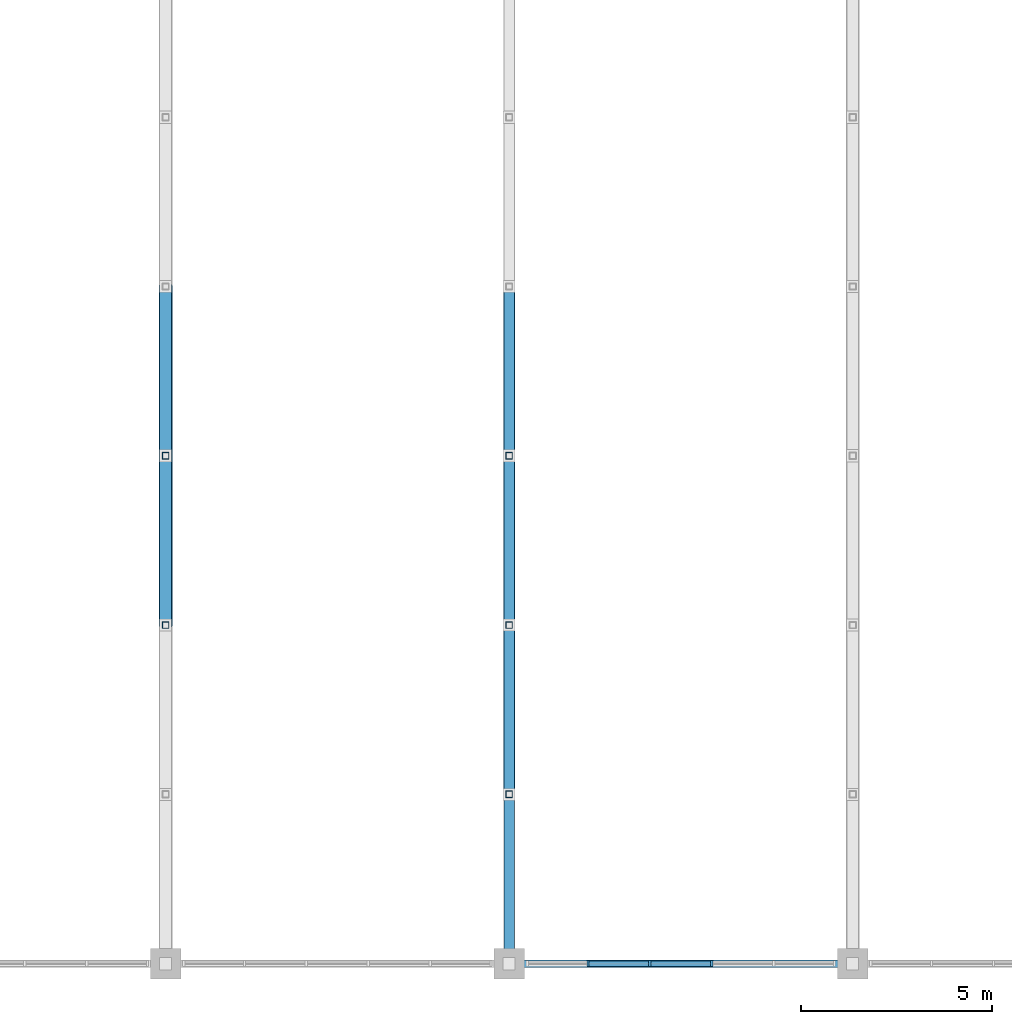
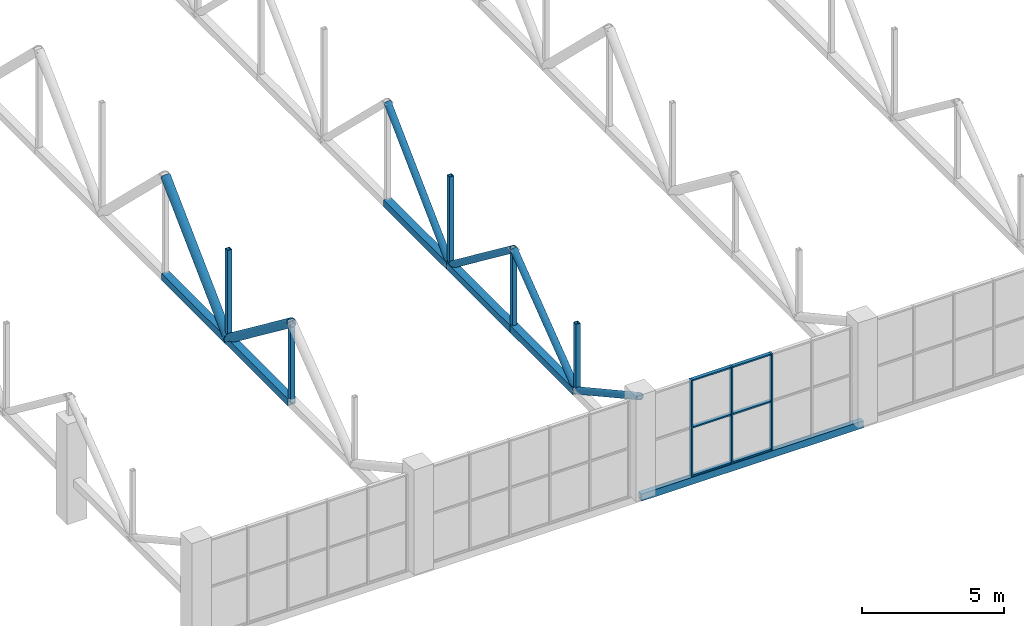
# One storey, part 16 of 103: 25 members, 1 beam, 1 element without a shape of its own.
"""IFC4 building model written with IfcOpenShell, lengths in metres."""

from ifc_helpers import new_model, si_unit, direction, frame, origin, origin_2d, place, context, subcontext, project, spatial, rectangle, hollow_rectangle, hollow_circle, extrude, material, layer, layer_set, material_profile, profile_set, type_object, element, aggregate, save


model = new_model("IFC4")

# Units and contexts
model_context = context("Model", 3, precision=1e-05, world=origin(), true_north=direction((0.0, 1.0)))
body_context = subcontext(model_context, "Body", "Model", "MODEL_VIEW")
ifc_project = project(units=[si_unit("LENGTHUNIT", "METRE"), si_unit("AREAUNIT", "SQUARE_METRE"), si_unit("VOLUMEUNIT", "CUBIC_METRE"), si_unit("PLANEANGLEUNIT", "RADIAN"), si_unit("MASSUNIT", "GRAM", prefix="KILO")], contexts=[model_context])

# Site, building, storey
site_placement = place(None, origin())
site = spatial("IfcSite", under=ifc_project, at=site_placement, CompositionType="ELEMENT")
building_placement = place(site_placement, origin())
building = spatial("IfcBuilding", under=site, at=building_placement, Name="Cazmaro Siding Exhibition Halls", CompositionType="ELEMENT")
storey_placement = place(building_placement, frame((0.0, 0.0, 16.5)))
storey = spatial("IfcBuildingStorey", under=building, at=storey_placement, Name="L03", CompositionType="ELEMENT", Elevation=16.5)

# Curtain wall, members
ifc_material_1 = material(Name="Anodized Bronze Aluminum and Solar-Control Low-E Glazing", Category="aluminium")
ifc_layer = layer(ifc_material_1, 0.159912109375)
ifc_layer_set = layer_set([ifc_layer], Name="Anodized Bronze Aluminum and Solar-Control Low-E Glazing")
curtain_wall_type = type_object("IfcCurtainWallType", Name="CWS-04", PredefinedType="USERDEFINED", material=ifc_layer_set)
curtain_wall_placement = place(storey_placement, origin())
curtain_wall = element("IfcCurtainWall", 1, at=curtain_wall_placement, inside=storey, type_object=curtain_wall_type, Name="Clerestory Curtain Wall CWS-04 CW-084", ObjectType="CLERESTORY CURTAIN WALL", PredefinedType="USERDEFINED")
ifc_material_2 = material(Name="Anodized Bronze Extruded Aluminum", Category="aluminium")
ifc_material_profile_1 = material_profile(ifc_material_2, rectangle(XDim=0.159912109375, YDim=0.06005859375, at=origin_2d()), Name="CWM-04")
ifc_profile_set_1 = profile_set([ifc_material_profile_1], Name="Anodized Bronze Extruded Aluminum")
member_type_1 = type_object("IfcMemberType", Name="CWM-04", PredefinedType="MULLION", material=ifc_profile_set_1)
member_1_placement = place(storey_placement, frame((92.06689453125, 9.25, 0.0), z_axis=(0.0, 0.0, 1.0), x_axis=(0.0, 1.0, 0.0)))
member_1 = element("IfcMember", 2, at=member_1_placement, type_object=member_type_1, Name="CWS-04 mullion 2", PredefinedType="MULLION", context=body_context, shape_type="SweptSolid", body=[
    extrude(rectangle(XDim=0.159912109375, YDim=0.06005859375, at=origin_2d()), origin(), (0.0, 0.0, 1.0), 4.14990234375),
])
member_2_placement = place(storey_placement, frame((93.68896484375, 9.25, 0.0), z_axis=(0.0, 0.0, 1.0), x_axis=(0.0, 1.0, 0.0)))
member_2 = element("IfcMember", 3, at=member_2_placement, type_object=member_type_1, Name="CWS-04 mullion 3", PredefinedType="MULLION", context=body_context, shape_type="SweptSolid", body=[
    extrude(rectangle(XDim=0.159912109375, YDim=0.06005859375, at=origin_2d()), origin(), (0.0, 0.0, 1.0), 4.14990234375),
])
member_3_placement = place(storey_placement, frame((95.31103515625, 9.25, 0.0), z_axis=(0.0, 0.0, 1.0), x_axis=(0.0, 1.0, 0.0)))
member_3 = element("IfcMember", 4, at=member_3_placement, type_object=member_type_1, Name="CWS-04 mullion 4", PredefinedType="MULLION", context=body_context, shape_type="SweptSolid", body=[
    extrude(rectangle(XDim=0.159912109375, YDim=0.06005859375, at=origin_2d()), origin(), (0.0, 0.0, 1.0), 4.14990234375),
])
ifc_material_3 = material(Name="Anodized Bronze Extruded Aluminum", Category="aluminium")
ifc_material_profile_2 = material_profile(ifc_material_3, rectangle(XDim=0.139892578125, YDim=0.06005859375, at=origin_2d()), Name="CWT-04")
ifc_profile_set_2 = profile_set([ifc_material_profile_2], Name="Anodized Bronze Extruded Aluminum")
member_type_2 = type_object("IfcMemberType", Name="CWT-04", PredefinedType="MULLION", material=ifc_profile_set_2)
member_4_placement = place(storey_placement, frame((92.096923828125, 9.25, 0.030029296875), z_axis=(1.0, 0.0, 0.0), x_axis=(0.0, 1.0, 0.0)))
member_4 = element("IfcMember", 5, at=member_4_placement, type_object=member_type_2, Name="CWS-04 transom 2.1", ObjectType="TRANSOM", PredefinedType="USERDEFINED", context=body_context, shape_type="SweptSolid", body=[
    extrude(rectangle(XDim=0.139892578125, YDim=0.06005859375, at=origin_2d()), origin(), (0.0, 0.0, 1.0), 1.56201171875),
])
member_5_placement = place(storey_placement, frame((92.096923828125, 9.25, 2.10009765625), z_axis=(1.0, 0.0, 0.0), x_axis=(0.0, 1.0, 0.0)))
member_5 = element("IfcMember", 6, at=member_5_placement, type_object=member_type_2, Name="CWS-04 transom 2.2", ObjectType="TRANSOM", PredefinedType="USERDEFINED", context=body_context, shape_type="SweptSolid", body=[
    extrude(rectangle(XDim=0.139892578125, YDim=0.06005859375, at=origin_2d()), origin(), (0.0, 0.0, 1.0), 1.56201171875),
])
member_6_placement = place(storey_placement, frame((92.096923828125, 9.25, 4.1201171875), z_axis=(1.0, 0.0, 0.0), x_axis=(0.0, 1.0, 0.0)))
member_6 = element("IfcMember", 7, at=member_6_placement, type_object=member_type_2, Name="CWS-04 transom 2.3", ObjectType="TRANSOM", PredefinedType="USERDEFINED", context=body_context, shape_type="SweptSolid", body=[
    extrude(rectangle(XDim=0.139892578125, YDim=0.06005859375, at=origin_2d()), origin(), (0.0, 0.0, 1.0), 1.56201171875),
])
member_7_placement = place(storey_placement, frame((93.718994140625, 9.25, 0.030029296875), z_axis=(1.0, 0.0, 0.0), x_axis=(0.0, 1.0, 0.0)))
member_7 = element("IfcMember", 8, at=member_7_placement, type_object=member_type_2, Name="CWS-04 transom 3.1", ObjectType="TRANSOM", PredefinedType="USERDEFINED", context=body_context, shape_type="SweptSolid", body=[
    extrude(rectangle(XDim=0.139892578125, YDim=0.06005859375, at=origin_2d()), origin(), (0.0, 0.0, 1.0), 1.56201171875),
])
member_8_placement = place(storey_placement, frame((93.718994140625, 9.25, 2.10009765625), z_axis=(1.0, 0.0, 0.0), x_axis=(0.0, 1.0, 0.0)))
member_8 = element("IfcMember", 9, at=member_8_placement, type_object=member_type_2, Name="CWS-04 transom 3.2", ObjectType="TRANSOM", PredefinedType="USERDEFINED", context=body_context, shape_type="SweptSolid", body=[
    extrude(rectangle(XDim=0.139892578125, YDim=0.06005859375, at=origin_2d()), origin(), (0.0, 0.0, 1.0), 1.56201171875),
])
member_9_placement = place(storey_placement, frame((93.718994140625, 9.25, 4.1201171875), z_axis=(1.0, 0.0, 0.0), x_axis=(0.0, 1.0, 0.0)))
member_9 = element("IfcMember", 10, at=member_9_placement, type_object=member_type_2, Name="CWS-04 transom 3.3", ObjectType="TRANSOM", PredefinedType="USERDEFINED", context=body_context, shape_type="SweptSolid", body=[
    extrude(rectangle(XDim=0.139892578125, YDim=0.06005859375, at=origin_2d()), origin(), (0.0, 0.0, 1.0), 1.56201171875),
])
aggregate(curtain_wall, [member_1, member_2, member_3, member_4, member_5, member_6, member_7, member_8, member_9])

# Beam
ifc_material_4 = material(Name="Steel ASTM A500 Grade C", Category="steel")
ifc_material_profile_3 = material_profile(ifc_material_4, hollow_rectangle(XDim=0.202880859375, YDim=0.304931640625, WallThickness=0.011962890625, at=origin_2d()), Name="HSS12X8X1/2")
ifc_profile_set_3 = profile_set([ifc_material_profile_3], Name="Steel ASTM A500 Grade C")
beam_type = type_object("IfcBeamType", Name="SP-01", PredefinedType="SPANDREL", material=ifc_profile_set_3)
beam_placement = place(storey_placement, frame((90.0, 9.25, -0.152099609375), z_axis=(1.0, 0.0, 0.0), x_axis=(0.0, 1.0, 0.0)))
element("IfcBeam", 11, at=beam_placement, inside=storey, type_object=beam_type, Name="Beam SP-01 BM-1491", PredefinedType="SPANDREL", context=body_context, shape_type="SweptSolid", body=[
    extrude(hollow_rectangle(XDim=0.202880859375, YDim=0.304931640625, WallThickness=0.011962890625, at=origin_2d()), origin(), (0.0, 0.0, 1.0), 9.0),
])

# Members
ifc_material_5 = material(Name="Steel ASTM A500 Grade C", Category="steel")
ifc_material_profile_4 = material_profile(ifc_material_5, hollow_rectangle(XDim=0.304931640625, YDim=0.304931640625, WallThickness=0.014892578125, at=origin_2d()), Name="HSS12X12X5/8")
ifc_profile_set_4 = profile_set([ifc_material_profile_4], Name="Steel ASTM A500 Grade C")
member_type_3 = type_object("IfcMemberType", Name="TC-02", PredefinedType="CHORD", material=ifc_profile_set_4)
member_10_placement = place(storey_placement, frame((81.0, 18.1201171875, 1.699951171875), z_axis=(0.0, 1.0, 0.0), x_axis=(-1.0, 0.0, 0.0)))
element("IfcMember", 12, at=member_10_placement, inside=storey, type_object=member_type_3, Name="Warren roof truss bottom chord TC-02 MEM-2348", PredefinedType="CHORD", context=body_context, shape_type="SweptSolid", body=[
    extrude(hollow_rectangle(XDim=0.304931640625, YDim=0.304931640625, WallThickness=0.014892578125, at=origin_2d()), origin(), (0.0, 0.0, 1.0), 4.434814453125),
])
for number, where, z_axis, x_axis, name in (
    (13, (81.0, 22.554931640625, 1.699951171875), (0.0, 1.0, 0.0), (-1.0, 0.0, 0.0), "Warren roof truss bottom chord TC-02 MEM-2351"),
    (14, (90.0, 13.68505859375, 1.699951171875), (0.0, 1.0, 0.0), (-1.0, 0.0, 0.0), "Warren roof truss bottom chord TC-02 MEM-2384"),
):
    element("IfcMember", number, at=place(storey_placement, frame(where, z_axis=z_axis, x_axis=x_axis)), inside=storey, type_object=member_type_3, Name=name, PredefinedType="CHORD", context=body_context, shape_type="SweptSolid", body=[
        extrude(hollow_rectangle(XDim=0.304931640625, YDim=0.304931640625, WallThickness=0.014892578125, at=origin_2d()), origin(), (0.0, 0.0, 1.0), 4.43505859375),
    ])
member_11_placement = place(storey_placement, frame((90.0, 18.1201171875, 1.699951171875), z_axis=(0.0, 1.0, 0.0), x_axis=(-1.0, 0.0, 0.0)))
element("IfcMember", 15, at=member_11_placement, inside=storey, type_object=member_type_3, Name="Warren roof truss bottom chord TC-02 MEM-2387", PredefinedType="CHORD", context=body_context, shape_type="SweptSolid", body=[
    extrude(hollow_rectangle(XDim=0.304931640625, YDim=0.304931640625, WallThickness=0.014892578125, at=origin_2d()), origin(), (0.0, 0.0, 1.0), 4.434814453125),
])
member_12_placement = place(storey_placement, frame((90.0, 22.554931640625, 1.699951171875), z_axis=(0.0, 1.0, 0.0), x_axis=(-1.0, 0.0, 0.0)))
element("IfcMember", 16, at=member_12_placement, inside=storey, type_object=member_type_3, Name="Warren roof truss bottom chord TC-02 MEM-2390", PredefinedType="CHORD", context=body_context, shape_type="SweptSolid", body=[
    extrude(hollow_rectangle(XDim=0.304931640625, YDim=0.304931640625, WallThickness=0.014892578125, at=origin_2d()), origin(), (0.0, 0.0, 1.0), 4.43505859375),
])
ifc_material_6 = material(Name="Steel ASTM A500 Grade C", Category="steel")
ifc_material_profile_5 = material_profile(ifc_material_6, hollow_rectangle(XDim=0.177978515625, YDim=0.177978515625, WallThickness=0.011962890625, at=origin_2d()), Name="HSS7X7X1/2")
ifc_profile_set_5 = profile_set([ifc_material_profile_5], Name="Steel ASTM A500 Grade C")
member_type_4 = type_object("IfcMemberType", Name="TP-02", PredefinedType="POST", material=ifc_profile_set_5)
member_13_placement = place(storey_placement, frame((81.0, 18.1201171875, 1.699951171875), z_axis=(0.0, 0.0, 1.0), x_axis=(1.0, 0.0, 0.0)))
element("IfcMember", 17, at=member_13_placement, inside=storey, type_object=member_type_4, Name="Warren roof truss vertical TP-02 MEM-2372", PredefinedType="POST", context=body_context, shape_type="SweptSolid", body=[
    extrude(hollow_rectangle(XDim=0.177978515625, YDim=0.177978515625, WallThickness=0.011962890625, at=origin_2d()), origin(), (0.0, 0.0, 1.0), 3.373046875),
])
member_14_placement = place(storey_placement, frame((81.0, 22.554931640625, 1.699951171875), z_axis=(0.0, 0.0, 1.0), x_axis=(1.0, 0.0, 0.0)))
element("IfcMember", 18, at=member_14_placement, inside=storey, type_object=member_type_4, Name="Warren roof truss vertical TP-02 MEM-2373", PredefinedType="POST", context=body_context, shape_type="SweptSolid", body=[
    extrude(hollow_rectangle(XDim=0.177978515625, YDim=0.177978515625, WallThickness=0.011962890625, at=origin_2d()), origin(), (0.0, 0.0, 1.0), 3.839111328125),
])
member_15_placement = place(storey_placement, frame((90.0, 13.68505859375, 1.699951171875), z_axis=(0.0, 0.0, 1.0), x_axis=(1.0, 0.0, 0.0)))
element("IfcMember", 19, at=member_15_placement, inside=storey, type_object=member_type_4, Name="Warren roof truss vertical TP-02 MEM-2410", PredefinedType="POST", context=body_context, shape_type="SweptSolid", body=[
    extrude(hollow_rectangle(XDim=0.177978515625, YDim=0.177978515625, WallThickness=0.011962890625, at=origin_2d()), origin(), (0.0, 0.0, 1.0), 2.906005859375),
])
member_16_placement = place(storey_placement, frame((90.0, 18.1201171875, 1.699951171875), z_axis=(0.0, 0.0, 1.0), x_axis=(1.0, 0.0, 0.0)))
element("IfcMember", 20, at=member_16_placement, inside=storey, type_object=member_type_4, Name="Warren roof truss vertical TP-02 MEM-2411", PredefinedType="POST", context=body_context, shape_type="SweptSolid", body=[
    extrude(hollow_rectangle(XDim=0.177978515625, YDim=0.177978515625, WallThickness=0.011962890625, at=origin_2d()), origin(), (0.0, 0.0, 1.0), 3.373046875),
])
member_17_placement = place(storey_placement, frame((90.0, 22.554931640625, 1.699951171875), z_axis=(0.0, 0.0, 1.0), x_axis=(1.0, 0.0, 0.0)))
element("IfcMember", 21, at=member_17_placement, inside=storey, type_object=member_type_4, Name="Warren roof truss vertical TP-02 MEM-2412", PredefinedType="POST", context=body_context, shape_type="SweptSolid", body=[
    extrude(hollow_rectangle(XDim=0.177978515625, YDim=0.177978515625, WallThickness=0.011962890625, at=origin_2d()), origin(), (0.0, 0.0, 1.0), 3.839111328125),
])
ifc_material_7 = material(Name="Steel ASTM A500 Grade C", Category="steel")
ifc_material_profile_6 = material_profile(ifc_material_7, hollow_circle(Radius=0.136474609375, WallThickness=0.012939453125, at=origin_2d()), Name="PIPE10XS")
ifc_profile_set_6 = profile_set([ifc_material_profile_6], Name="Steel ASTM A500 Grade C")
member_type_5 = type_object("IfcMemberType", Name="WB-02", PredefinedType="BRACE", material=ifc_profile_set_6)
member_18_placement = place(storey_placement, frame((90.0, 9.25, 4.139892578125), z_axis=(0.0, 0.876160914294, -0.482018726051), x_axis=(-1.0, 0.0, 0.0)))
element("IfcMember", 22, at=member_18_placement, inside=storey, type_object=member_type_5, Name="Warren roof truss diagonal WB-02 MEM-2382", PredefinedType="BRACE", context=body_context, shape_type="SweptSolid", body=[
    extrude(hollow_circle(Radius=0.136474609375, WallThickness=0.012939453125, at=origin_2d()), origin(), (0.0, 0.0, 1.0), 5.06201171875),
])
member_19_placement = place(storey_placement, frame((90.0, 13.68505859375, 1.699951171875), z_axis=(0.0, 0.795954445209, 0.605356524002), x_axis=(-1.0, 0.0, 0.0)))
element("IfcMember", 23, at=member_19_placement, inside=storey, type_object=member_type_5, Name="Warren roof truss diagonal WB-02 MEM-2385", PredefinedType="BRACE", context=body_context, shape_type="SweptSolid", body=[
    extrude(hollow_circle(Radius=0.136474609375, WallThickness=0.012939453125, at=origin_2d()), origin(), (0.0, 0.0, 1.0), 5.572021484375),
])
member_20_placement = place(storey_placement, frame((90.0, 18.1201171875, 5.072998046875), z_axis=(0.0, 0.795938387852, -0.605377636475), x_axis=(-1.0, 0.0, 0.0)))
element("IfcMember", 24, at=member_20_placement, inside=storey, type_object=member_type_5, Name="Warren roof truss diagonal WB-02 MEM-2388", PredefinedType="BRACE", context=body_context, shape_type="SweptSolid", body=[
    extrude(hollow_circle(Radius=0.136474609375, WallThickness=0.012939453125, at=origin_2d()), origin(), (0.0, 0.0, 1.0), 5.57177734375),
])
member_21_placement = place(storey_placement, frame((90.0, 22.554931640625, 1.699951171875), z_axis=(0.0, 0.717555143773, 0.696501698236), x_axis=(-1.0, 0.0, 0.0)))
element("IfcMember", 25, at=member_21_placement, inside=storey, type_object=member_type_5, Name="Warren roof truss diagonal WB-02 MEM-2391", PredefinedType="BRACE", context=body_context, shape_type="SweptSolid", body=[
    extrude(hollow_circle(Radius=0.136474609375, WallThickness=0.012939453125, at=origin_2d()), origin(), (0.0, 0.0, 1.0), 6.180908203125),
])
ifc_material_8 = material(Name="Steel ASTM A500 Grade C", Category="steel")
ifc_material_profile_7 = material_profile(ifc_material_8, hollow_circle(Radius=0.177978515625, WallThickness=0.012939453125, at=origin_2d()), Name="PIPE14XS")
ifc_profile_set_7 = profile_set([ifc_material_profile_7], Name="Steel ASTM A500 Grade C")
member_type_6 = type_object("IfcMemberType", Name="WB-06", PredefinedType="BRACE", material=ifc_profile_set_7)
member_22_placement = place(storey_placement, frame((81.0, 18.1201171875, 5.072998046875), z_axis=(0.0, 0.795938387852, -0.605377636475), x_axis=(-1.0, 0.0, 0.0)))
element("IfcMember", 26, at=member_22_placement, inside=storey, type_object=member_type_6, Name="Warren roof truss diagonal WB-06 MEM-2349", PredefinedType="BRACE", context=body_context, shape_type="SweptSolid", body=[
    extrude(hollow_circle(Radius=0.177978515625, WallThickness=0.012939453125, at=origin_2d()), origin(), (0.0, 0.0, 1.0), 5.57177734375),
])
member_23_placement = place(storey_placement, frame((81.0, 22.554931640625, 1.699951171875), z_axis=(0.0, 0.717555143773, 0.696501698236), x_axis=(-1.0, 0.0, 0.0)))
element("IfcMember", 27, at=member_23_placement, inside=storey, type_object=member_type_6, Name="Warren roof truss diagonal WB-06 MEM-2352", PredefinedType="BRACE", context=body_context, shape_type="SweptSolid", body=[
    extrude(hollow_circle(Radius=0.177978515625, WallThickness=0.012939453125, at=origin_2d()), origin(), (0.0, 0.0, 1.0), 6.180908203125),
])

save(model, "model.ifc")
